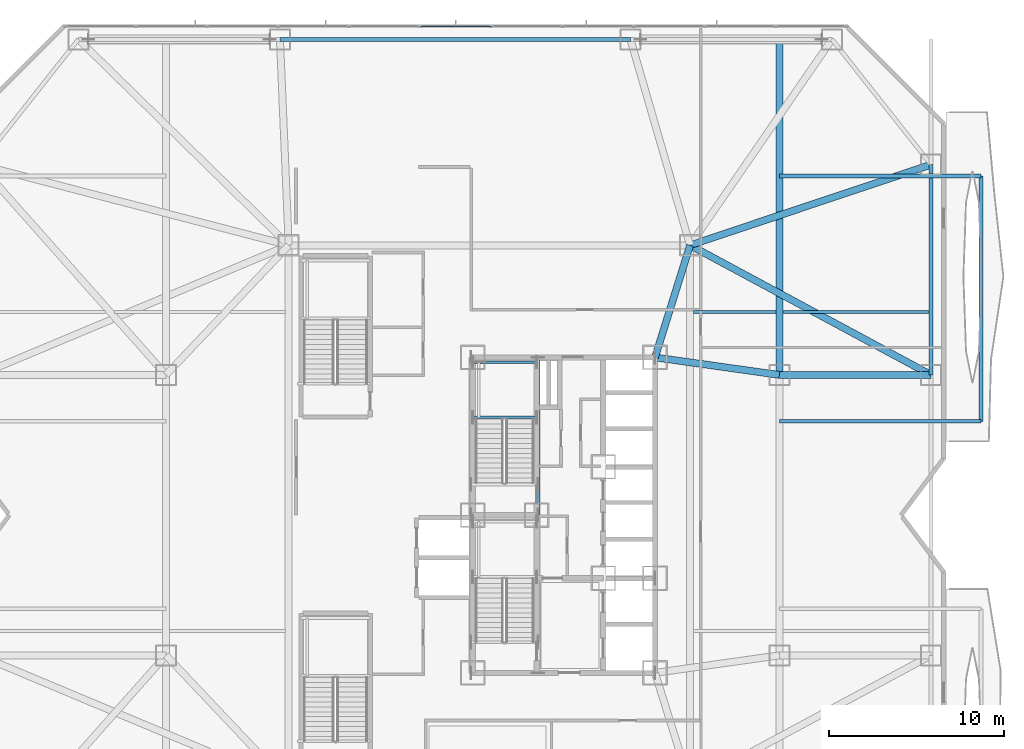
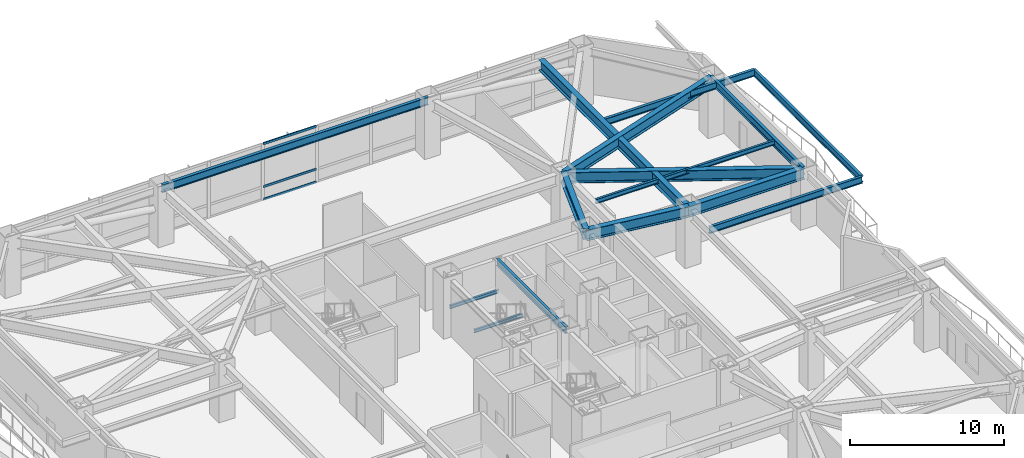
# One storey, part 12 of 33: 16 beams, 3 members, 1 element without a shape of its own.
"""IFC4 building model written with IfcOpenShell, lengths in metres."""

from ifc_helpers import new_model, si_unit, direction, frame, origin, origin_2d, place, context, subcontext, project, spatial, hollow_rectangle, i_section, extrude, material, material_profile, profile_set, type_object, element, aggregate, save


model = new_model("IFC4")

# Units and contexts
model_context = context("Model", 3, precision=1e-05, world=origin(), true_north=direction((0.0, 1.0)))
body_context = subcontext(model_context, "Body", "Model", "MODEL_VIEW")
ifc_project = project(units=[si_unit("LENGTHUNIT", "METRE"), si_unit("AREAUNIT", "SQUARE_METRE"), si_unit("VOLUMEUNIT", "CUBIC_METRE"), si_unit("PLANEANGLEUNIT", "RADIAN"), si_unit("MASSUNIT", "GRAM", prefix="KILO")], contexts=[model_context])

# Site, building, storey
site_placement = place(None, origin())
site = spatial("IfcSite", under=ifc_project, at=site_placement, CompositionType="ELEMENT")
building_placement = place(site_placement, origin())
building = spatial("IfcBuilding", under=site, at=building_placement, Name="Khamvora Tower", CompositionType="ELEMENT")
storey_placement = place(building_placement, frame((0.0, 0.0, 7.199951171875)))
storey = spatial("IfcBuildingStorey", under=building, at=storey_placement, Name="L01", CompositionType="ELEMENT", Elevation=7.199951171875)

# Beams
ifc_material_1 = material(Name="Steel S355", Category="steel")
ifc_material_profile_1 = material_profile(ifc_material_1, i_section(OverallWidth=0.1708984375, OverallDepth=0.35498046875, WebThickness=0.007080078125, FlangeThickness=0.011962890625, FilletRadius=0.010009765625, at=origin_2d()), Name="W360x51")
ifc_profile_set_1 = profile_set([ifc_material_profile_1], Name="Steel S355")
beam_type_1 = type_object("IfcBeamType", Name="BM-JS-W360x51", PredefinedType="JOIST", material=ifc_profile_set_1)
beam_1_placement = place(storey_placement, frame((41.594970703125, 39.60009765625, 4.302001953125), z_axis=(1.0, 0.0, 0.0), x_axis=(0.0, 1.0, 0.0)))
element("IfcBeam", 1, at=beam_1_placement, inside=storey, type_object=beam_type_1, Name="L01 secondary floor joist 15", PredefinedType="JOIST", context=body_context, shape_type="SweptSolid", body=[
    extrude(i_section(OverallWidth=0.1708984375, OverallDepth=0.35498046875, WebThickness=0.007080078125, FlangeThickness=0.011962890625, FilletRadius=0.010009765625, at=origin_2d()), origin(), (0.0, 0.0, 1.0), 4.7099609375),
])
beam_2_placement = place(storey_placement, frame((46.695068359375, 39.60009765625, 4.302001953125), z_axis=(1.0, 0.0, 0.0), x_axis=(0.0, 1.0, 0.0)))
element("IfcBeam", 2, at=beam_2_placement, inside=storey, type_object=beam_type_1, Name="L01 secondary floor joist 16", PredefinedType="JOIST", context=body_context, shape_type="SweptSolid", body=[
    extrude(i_section(OverallWidth=0.1708984375, OverallDepth=0.35498046875, WebThickness=0.007080078125, FlangeThickness=0.011962890625, FilletRadius=0.010009765625, at=origin_2d()), origin(), (0.0, 0.0, 1.0), 8.344970703125),
])
ifc_material_profile_2 = material_profile(ifc_material_1, i_section(OverallWidth=0.14697265625, OverallDepth=0.261962890625, WebThickness=0.007080078125, FlangeThickness=0.010986328125, FilletRadius=0.008056640625, at=origin_2d()), Name="W250x39")
ifc_profile_set_2 = profile_set([ifc_material_profile_2], Name="Steel S355")
beam_type_2 = type_object("IfcBeamType", Name="BM-LN-W250x39", PredefinedType="LINTEL", material=ifc_profile_set_2)
for number, where, z_axis, x_axis, name in (
    (3, (29.0, 33.574951171875, 2.069091796875), (1.0, 0.0, 0.0), (0.0, 1.0, 0.0), "L01 ST-02 half-landing support beam 1.1"),
    (4, (29.0, 36.72998046875, 2.069091796875), (1.0, 0.0, 0.0), (0.0, 1.0, 0.0), "L01 ST-02 half-landing support beam 1.2"),
):
    element("IfcBeam", number, at=place(storey_placement, frame(where, z_axis=z_axis, x_axis=x_axis)), inside=storey, type_object=beam_type_2, Name=name, PredefinedType="LINTEL", context=body_context, shape_type="SweptSolid", body=[
        extrude(i_section(OverallWidth=0.14697265625, OverallDepth=0.261962890625, WebThickness=0.007080078125, FlangeThickness=0.010986328125, FilletRadius=0.008056640625, at=origin_2d()), origin(), (0.0, 0.0, 1.0), 3.64990234375),
    ])
ifc_material_profile_3 = material_profile(ifc_material_1, i_section(OverallWidth=0.39990234375, OverallDepth=0.85498046875, WebThickness=0.01806640625, FlangeThickness=0.029052734375, FilletRadius=0.01806640625, at=origin_2d()), Name="W840x299")
ifc_profile_set_3 = profile_set([ifc_material_profile_3], Name="Steel S355")
beam_type_3 = type_object("IfcBeamType", Name="BM-PG-W840x299", PredefinedType="BEAM", material=ifc_profile_set_3)
beam_3_placement = place(storey_placement, frame((46.5, 36.0, 4.052001953125), z_axis=(1.0, 0.0, 0.0), x_axis=(0.0, 1.0, 0.0)))
element("IfcBeam", 5, at=beam_3_placement, inside=storey, type_object=beam_type_3, Name="L01 primary floor girder P15", PredefinedType="BEAM", context=body_context, shape_type="SweptSolid", body=[
    extrude(i_section(OverallWidth=0.39990234375, OverallDepth=0.85498046875, WebThickness=0.01806640625, FlangeThickness=0.029052734375, FilletRadius=0.01806640625, at=origin_2d()), origin(), (0.0, 0.0, 1.0), 8.64990234375),
])
beam_4_placement = place(storey_placement, frame((41.39990234375, 43.39990234375, 4.052001953125), z_axis=(0.948335857324, 0.31726818579, 0.0), x_axis=(-0.31726818579, 0.948335857324, 0.0)))
element("IfcBeam", 6, at=beam_4_placement, inside=storey, type_object=beam_type_3, Name="L01 primary floor girder P16", PredefinedType="BEAM", context=body_context, shape_type="SweptSolid", body=[
    extrude(i_section(OverallWidth=0.39990234375, OverallDepth=0.85498046875, WebThickness=0.01806640625, FlangeThickness=0.029052734375, FilletRadius=0.01806640625, at=origin_2d()), origin(), (0.0, 0.0, 1.0), 14.4990234375),
])
beam_5_placement = place(storey_placement, frame((39.39990234375, 37.0, 4.052001953125), z_axis=(0.298279139585, 0.95447868226, 0.0), x_axis=(-0.95447868226, 0.298279139585, 0.0)))
element("IfcBeam", 7, at=beam_5_placement, inside=storey, type_object=beam_type_3, Name="L01 primary floor girder P20", PredefinedType="BEAM", context=body_context, shape_type="SweptSolid", body=[
    extrude(i_section(OverallWidth=0.39990234375, OverallDepth=0.85498046875, WebThickness=0.01806640625, FlangeThickness=0.029052734375, FilletRadius=0.01806640625, at=origin_2d()), origin(), (0.0, 0.0, 1.0), 6.705078125),
])
beam_6_placement = place(storey_placement, frame((39.39990234375, 37.0, 4.052001953125), z_axis=(0.990226770029, -0.139466640879, 0.0), x_axis=(0.139466640879, 0.990226770029, 0.0)))
element("IfcBeam", 8, at=beam_6_placement, inside=storey, type_object=beam_type_3, Name="L01 primary floor girder P24", PredefinedType="BEAM", context=body_context, shape_type="SweptSolid", body=[
    extrude(i_section(OverallWidth=0.39990234375, OverallDepth=0.85498046875, WebThickness=0.01806640625, FlangeThickness=0.029052734375, FilletRadius=0.01806640625, at=origin_2d()), origin(), (0.0, 0.0, 1.0), 7.170166015625),
])
beam_7_placement = place(storey_placement, frame((55.14990234375, 36.0, 4.052001953125), z_axis=(-0.880576508414, 0.473904012252, 0.0), x_axis=(-0.473904012252, -0.880576508414, 0.0)))
element("IfcBeam", 9, at=beam_7_placement, inside=storey, type_object=beam_type_3, Name="L01 east plinth tie girder 3", PredefinedType="BEAM", context=body_context, shape_type="SweptSolid", body=[
    extrude(i_section(OverallWidth=0.39990234375, OverallDepth=0.85498046875, WebThickness=0.01806640625, FlangeThickness=0.029052734375, FilletRadius=0.01806640625, at=origin_2d()), origin(), (0.0, 0.0, 1.0), 15.61474609375),
])
beam_8_placement = place(storey_placement, frame((46.5, 36.0, 4.052001953125), z_axis=(0.0, 1.0, 0.0), x_axis=(-1.0, 0.0, 0.0)))
element("IfcBeam", 10, at=beam_8_placement, inside=storey, type_object=beam_type_3, Name="L01 gallery collector girder E.3", PredefinedType="BEAM", context=body_context, shape_type="SweptSolid", body=[
    extrude(i_section(OverallWidth=0.39990234375, OverallDepth=0.85498046875, WebThickness=0.01806640625, FlangeThickness=0.029052734375, FilletRadius=0.01806640625, at=origin_2d()), origin(), (0.0, 0.0, 1.0), 19.14990234375),
])
ifc_material_profile_4 = material_profile(ifc_material_1, i_section(OverallWidth=0.208984375, OverallDepth=0.532958984375, WebThickness=0.010009765625, FlangeThickness=0.01611328125, FilletRadius=0.013916015625, at=origin_2d()), Name="W530x92")
ifc_profile_set_4 = profile_set([ifc_material_profile_4], Name="Steel S355")
beam_type_4 = type_object("IfcBeamType", Name="BM-SP-W530x92", PredefinedType="SPANDREL", material=ifc_profile_set_4)
beam_9_placement = place(storey_placement, frame((32.72998046875, 28.0, 4.213134765625), z_axis=(0.0, 1.0, 0.0), x_axis=(-1.0, 0.0, 0.0)))
element("IfcBeam", 11, at=beam_9_placement, inside=storey, type_object=beam_type_4, Name="L01 core spine girder M1N", PredefinedType="SPANDREL", context=body_context, shape_type="SweptSolid", body=[
    extrude(i_section(OverallWidth=0.208984375, OverallDepth=0.532958984375, WebThickness=0.010009765625, FlangeThickness=0.01611328125, FilletRadius=0.013916015625, at=origin_2d()), origin(), (0.0, 0.0, 1.0), 9.0),
])
for number, where, z_axis, x_axis, name in (
    (12, (46.5, 33.35009765625, 4.113037109375), (1.0, 0.0, 0.0), (0.0, 1.0, 0.0), "L01 continuous gallery cantilever girder L02-EL2-1"),
    (13, (46.5, 47.35009765625, 4.113037109375), (1.0, 0.0, 0.0), (0.0, 1.0, 0.0), "L01 continuous gallery cantilever girder L02-EL2-2"),
):
    element("IfcBeam", number, at=place(storey_placement, frame(where, z_axis=z_axis, x_axis=x_axis)), inside=storey, type_object=beam_type_4, Name=name, PredefinedType="SPANDREL", context=body_context, shape_type="SweptSolid", body=[
        extrude(i_section(OverallWidth=0.208984375, OverallDepth=0.532958984375, WebThickness=0.010009765625, FlangeThickness=0.01611328125, FilletRadius=0.013916015625, at=origin_2d()), origin(), (0.0, 0.0, 1.0), 11.5),
    ])
beam_10_placement = place(storey_placement, frame((58.0, 33.35009765625, 4.113037109375), z_axis=(0.0, 1.0, 0.0), x_axis=(-1.0, 0.0, 0.0)))
element("IfcBeam", 14, at=beam_10_placement, inside=storey, type_object=beam_type_4, Name="L01 external gallery edge header beam L02-EL2", PredefinedType="SPANDREL", context=body_context, shape_type="SweptSolid", body=[
    extrude(i_section(OverallWidth=0.208984375, OverallDepth=0.532958984375, WebThickness=0.010009765625, FlangeThickness=0.01611328125, FilletRadius=0.013916015625, at=origin_2d()), origin(), (0.0, 0.0, 1.0), 14.0),
])
ifc_material_profile_5 = material_profile(ifc_material_1, i_section(OverallWidth=0.22998046875, OverallDepth=0.616943359375, WebThickness=0.012939453125, FlangeThickness=0.02197265625, FilletRadius=0.013916015625, at=origin_2d()), Name="W610x140")
ifc_profile_set_5 = profile_set([ifc_material_profile_5], Name="Steel S355")
beam_type_5 = type_object("IfcBeamType", Name="BM-SP-W610x140", PredefinedType="SPANDREL", material=ifc_profile_set_5)
beam_11_placement = place(storey_placement, frame((55.14990234375, 36.0, 4.171142578125), z_axis=(0.0, 1.0, 0.0), x_axis=(-1.0, 0.0, 0.0)))
element("IfcBeam", 15, at=beam_11_placement, inside=storey, type_object=beam_type_5, Name="L01 perimeter spandrel beam P15-P16", PredefinedType="SPANDREL", context=body_context, shape_type="SweptSolid", body=[
    extrude(i_section(OverallWidth=0.22998046875, OverallDepth=0.616943359375, WebThickness=0.012939453125, FlangeThickness=0.02197265625, FilletRadius=0.013916015625, at=origin_2d()), origin(), (0.0, 0.0, 1.0), 12.0),
])
beam_12_placement = place(storey_placement, frame((38.0, 55.14990234375, 4.171142578125), z_axis=(-1.0, 0.0, 0.0), x_axis=(0.0, -1.0, 0.0)))
element("IfcBeam", 16, at=beam_12_placement, inside=storey, type_object=beam_type_5, Name="L01 perimeter spandrel beam P07-P06", PredefinedType="SPANDREL", context=body_context, shape_type="SweptSolid", body=[
    extrude(i_section(OverallWidth=0.22998046875, OverallDepth=0.616943359375, WebThickness=0.012939453125, FlangeThickness=0.02197265625, FilletRadius=0.013916015625, at=origin_2d()), origin(), (0.0, 0.0, 1.0), 20.0),
])

# Curtain wall, members
ifc_material_2 = material(Name="Anodised Aluminium 6063-T6", Category="aluminium")
curtain_wall_type = type_object("IfcCurtainWallType", Name="CW-SYS-01", PredefinedType="NOTDEFINED", material=ifc_material_2)
curtain_wall_placement = place(storey_placement, origin())
curtain_wall = element("IfcCurtainWall", 17, at=curtain_wall_placement, inside=storey, type_object=curtain_wall_type, Name="L01 stick curtain wall 07.1", PredefinedType="NOTDEFINED")
ifc_material_profile_6 = material_profile(ifc_material_2, hollow_rectangle(XDim=0.074951171875, YDim=0.179931640625, WallThickness=0.0048828125, at=origin_2d()), Name="TRN75x180x5")
ifc_profile_set_6 = profile_set([ifc_material_profile_6], Name="Anodised Aluminium 6063-T6")
member_type = type_object("IfcMemberType", Name="CW-SYS-01-TRN", PredefinedType="USERDEFINED", material=ifc_profile_set_6)
member_1_placement = place(storey_placement, frame((26.047607421875, 55.8798828125, 0.03759765625), z_axis=(1.0, 0.0, 0.0), x_axis=(0.0, 1.0, 0.0)))
member_1 = element("IfcMember", 18, at=member_1_placement, type_object=member_type, Name="CW-01 transom 6.1", ObjectType="TRANSOM", PredefinedType="USERDEFINED", context=body_context, shape_type="SweptSolid", body=[
    extrude(hollow_rectangle(XDim=0.074951171875, YDim=0.179931640625, WallThickness=0.0048828125, at=origin_2d()), origin(), (0.0, 0.0, 1.0), 3.981689453125),
])
member_2_placement = place(storey_placement, frame((26.047607421875, 55.8798828125, 1.050048828125), z_axis=(1.0, 0.0, 0.0), x_axis=(0.0, 1.0, 0.0)))
member_2 = element("IfcMember", 19, at=member_2_placement, type_object=member_type, Name="CW-01 transom 6.2", ObjectType="TRANSOM", PredefinedType="USERDEFINED", context=body_context, shape_type="SweptSolid", body=[
    extrude(hollow_rectangle(XDim=0.074951171875, YDim=0.179931640625, WallThickness=0.0048828125, at=origin_2d()), origin(), (0.0, 0.0, 1.0), 3.981689453125),
])
member_3_placement = place(storey_placement, frame((26.047607421875, 55.8798828125, 4.442626953125), z_axis=(1.0, 0.0, 0.0), x_axis=(0.0, 1.0, 0.0)))
member_3 = element("IfcMember", 20, at=member_3_placement, type_object=member_type, Name="CW-01 transom 6.3", ObjectType="TRANSOM", PredefinedType="USERDEFINED", context=body_context, shape_type="SweptSolid", body=[
    extrude(hollow_rectangle(XDim=0.074951171875, YDim=0.179931640625, WallThickness=0.0048828125, at=origin_2d()), origin(), (0.0, 0.0, 1.0), 3.981689453125),
])
aggregate(curtain_wall, [member_1, member_2, member_3])

save(model, "model.ifc")
